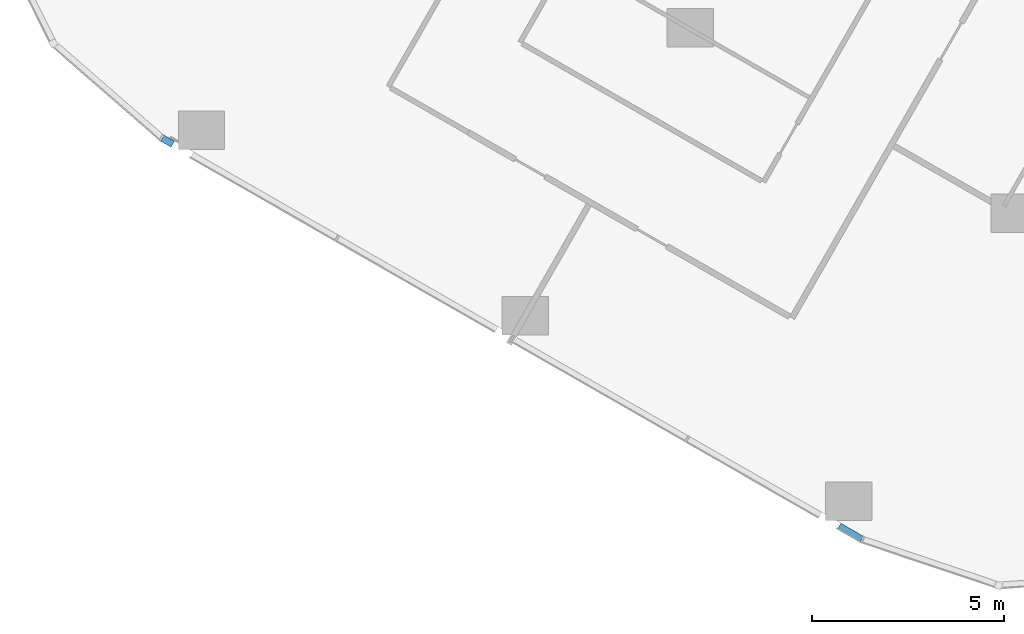
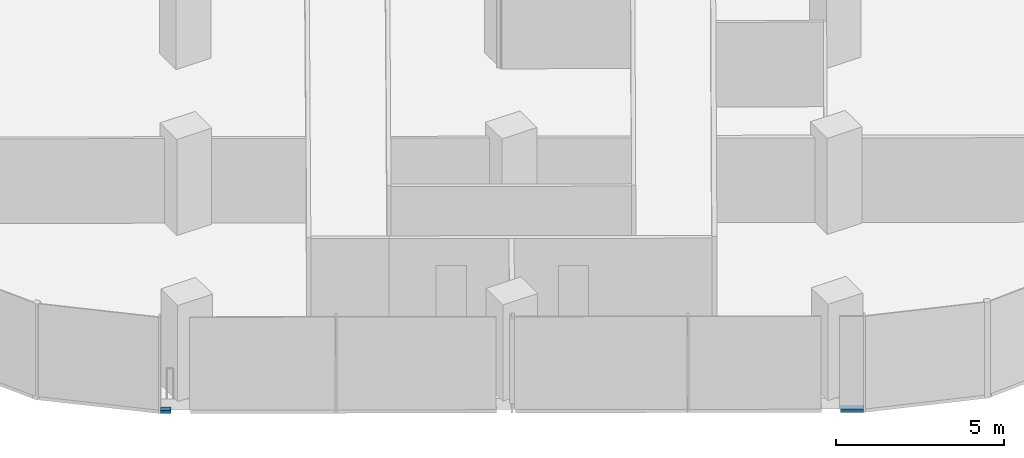
# One storey, part 16 of 34: 2 members, 1 element without a shape of its own.
"""IFC4 building model written with IfcOpenShell, lengths in metres."""

from ifc_helpers import new_model, si_unit, direction, frame, origin, origin_2d, place, context, subcontext, project, spatial, rectangle, extrude, material, material_profile, profile_set, type_object, element, aggregate, save


model = new_model("IFC4")

# Units and contexts
model_context = context("Model", 3, precision=1e-05, world=origin(), true_north=direction((0.0, 1.0)))
body_context = subcontext(model_context, "Body", "Model", "MODEL_VIEW")
ifc_project = project(units=[si_unit("LENGTHUNIT", "METRE"), si_unit("AREAUNIT", "SQUARE_METRE"), si_unit("VOLUMEUNIT", "CUBIC_METRE"), si_unit("PLANEANGLEUNIT", "RADIAN"), si_unit("MASSUNIT", "GRAM", prefix="KILO")], contexts=[model_context])

# Site, building, storey
site_placement = place(None, origin())
site = spatial("IfcSite", under=ifc_project, at=site_placement, CompositionType="ELEMENT")
building_placement = place(site_placement, origin())
building = spatial("IfcBuilding", under=site, at=building_placement, Name="Orlundy Tower", CompositionType="ELEMENT")
storey_placement = place(building_placement, frame((0.0, 0.0, 105.699951171875)))
storey = spatial("IfcBuildingStorey", under=building, at=storey_placement, Name="L26", CompositionType="ELEMENT", Elevation=105.699951171875)

# Curtain wall, members
ifc_material_1 = material(Name="Aluminium bronze anodised", Category="aluminium")
curtain_wall_type = type_object("IfcCurtainWallType", Name="CW1 wall", PredefinedType="NOTDEFINED", material=ifc_material_1)
curtain_wall_placement = place(storey_placement, origin())
curtain_wall = element("IfcCurtainWall", 1, at=curtain_wall_placement, inside=storey, type_object=curtain_wall_type, Name="CW1 run 07", PredefinedType="NOTDEFINED")
ifc_material_2 = material(Name="Aluminium bronze anodised", Category="aluminium")
ifc_material_profile = material_profile(ifc_material_2, rectangle(XDim=0.179931640625, YDim=0.1201171875, at=origin_2d()), Name="CW1 transom 180x120")
ifc_profile_set = profile_set([ifc_material_profile], Name="Aluminium bronze anodised")
member_type = type_object("IfcMemberType", Name="CW1 transom 180x120", PredefinedType="USERDEFINED", material=ifc_profile_set)
member_1_placement = place(storey_placement, frame((-20.5498046875, -56.907958984375, -0.33984375), z_axis=(-0.867534563836, 0.497376899896, 0.0), x_axis=(-0.497376899896, -0.867534563836, 0.0)))
member_1 = element("IfcMember", 2, at=member_1_placement, type_object=member_type, Name="CW1 transom", ObjectType="TRANSOM", PredefinedType="USERDEFINED", context=body_context, shape_type="SweptSolid", body=[
    extrude(rectangle(XDim=0.179931640625, YDim=0.1201171875, at=origin_2d()), origin(), (0.0, 0.0, 1.0), 0.679443359375),
])
member_2_placement = place(storey_placement, frame((-38.466064453125, -46.633544921875, -0.33984375), z_axis=(-0.867333798225, 0.497726915544, 0.0), x_axis=(-0.497726915544, -0.867333798225, 0.0)))
member_2 = element("IfcMember", 3, at=member_2_placement, type_object=member_type, Name="CW1 transom", ObjectType="TRANSOM", PredefinedType="USERDEFINED", context=body_context, shape_type="SweptSolid", body=[
    extrude(rectangle(XDim=0.179931640625, YDim=0.1201171875, at=origin_2d()), origin(), (0.0, 0.0, 1.0), 0.314453125),
])
aggregate(curtain_wall, [member_1, member_2])

save(model, "model.ifc")
